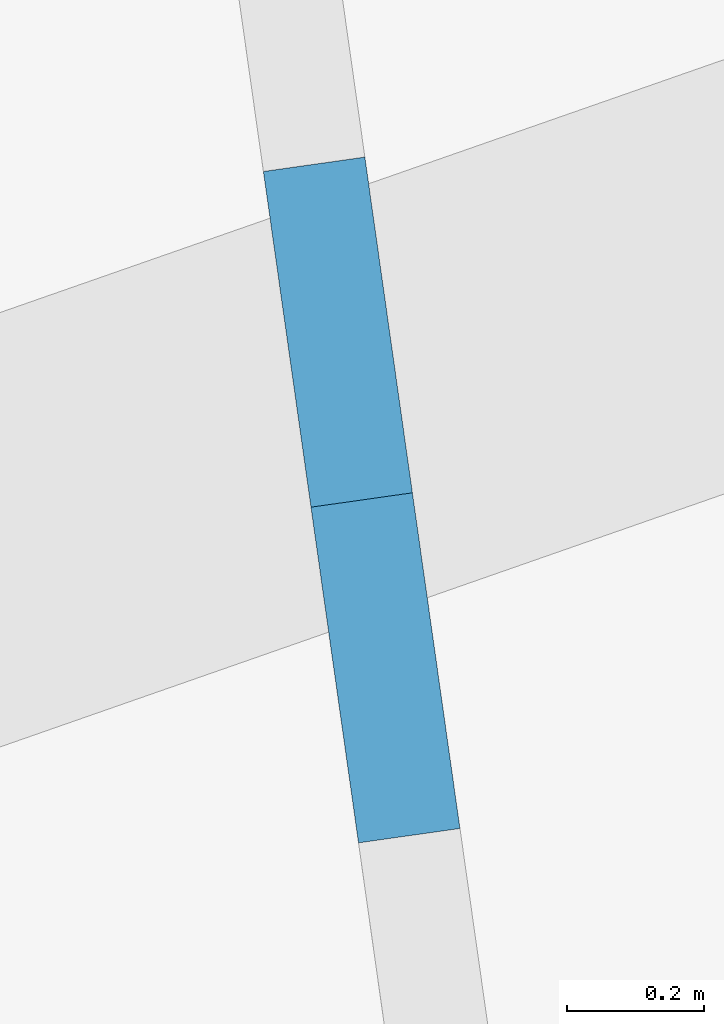
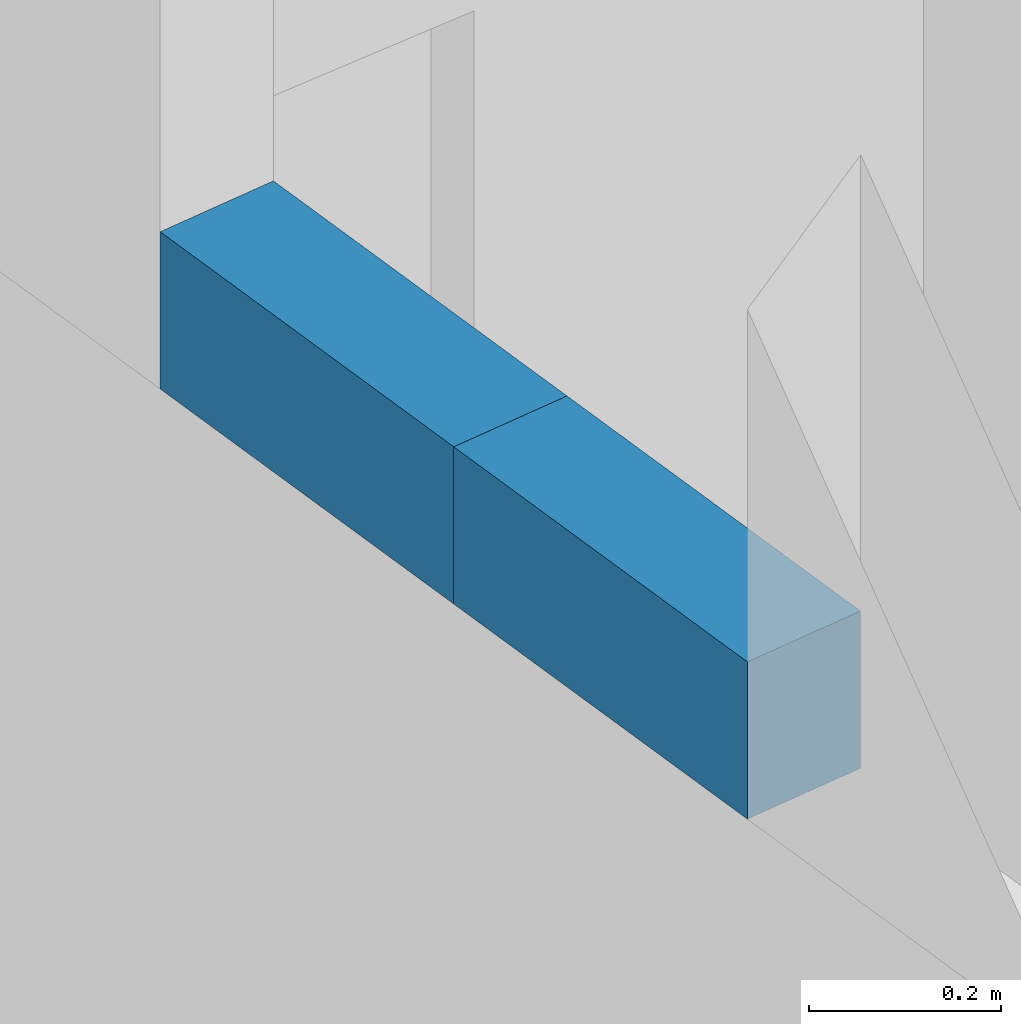
# One storey, part 180 of 249: 2 walls.
"""IFC4 building model written with IfcOpenShell, lengths in metres."""

from ifc_helpers import new_model, si_unit, direction, frame, frame_2d, origin, place, context, subcontext, project, spatial, rectangle, extrude, material, layer, layer_set, type_object, element, save


model = new_model("IFC4")

# Units and contexts
model_context = context("Model", 3, precision=1e-05, world=origin(), true_north=direction((0.0, 1.0)))
body_context = subcontext(model_context, "Body", "Model", "MODEL_VIEW")
ifc_project = project(units=[si_unit("LENGTHUNIT", "METRE"), si_unit("AREAUNIT", "SQUARE_METRE"), si_unit("VOLUMEUNIT", "CUBIC_METRE"), si_unit("PLANEANGLEUNIT", "RADIAN"), si_unit("MASSUNIT", "GRAM", prefix="KILO")], contexts=[model_context])

# Site, building, storey
site_placement = place(None, origin())
site = spatial("IfcSite", under=ifc_project, at=site_placement, CompositionType="ELEMENT")
building_placement = place(site_placement, origin())
building = spatial("IfcBuilding", under=site, at=building_placement, Name="Meseta Stadium", CompositionType="ELEMENT")
storey_placement = place(building_placement, frame((0.0, 0.0, 12.0)))
storey = spatial("IfcBuildingStorey", under=building, at=storey_placement, Name="L02", CompositionType="ELEMENT", Elevation=12.0)

# Walls
ifc_material = material(Name="Masonry blockwork", Category="masonry")
ifc_layer = layer(ifc_material, 0.14990234375)
ifc_layer_set = layer_set([ifc_layer], Name="Partition 150")
wall_type = type_object("IfcWallType", Name="Partition 150", PredefinedType="PARTITIONING", material=ifc_layer_set)
for number, where, z_axis, x_axis, name in (
    (1, (-57.24462890625, 88.4111328125, 4.550048828125), (0.0, 0.0, 1.0), (0.140250046348, -0.990116116675, 0.0), "Stair vestibule wall L02 core 12"),
    (2, (-57.175048828125, 87.919921875, 4.550048828125), (0.0, 0.0, 1.0), (0.140250046348, -0.990116116675, 0.0), "Stair vestibule wall L02 core 12"),
):
    element("IfcWall", number, at=place(storey_placement, frame(where, z_axis=z_axis, x_axis=x_axis)), inside=storey, type_object=wall_type, Name=name, PredefinedType="PARTITIONING", context=body_context, shape_type="SweptSolid", body=[
        extrude(rectangle(XDim=0.49609375, YDim=0.14990234375, at=frame_2d((0.248046875, 0.0))), origin(), (0.0, 0.0, 1.0), 0.199951171875),
    ])

save(model, "model.ifc")
